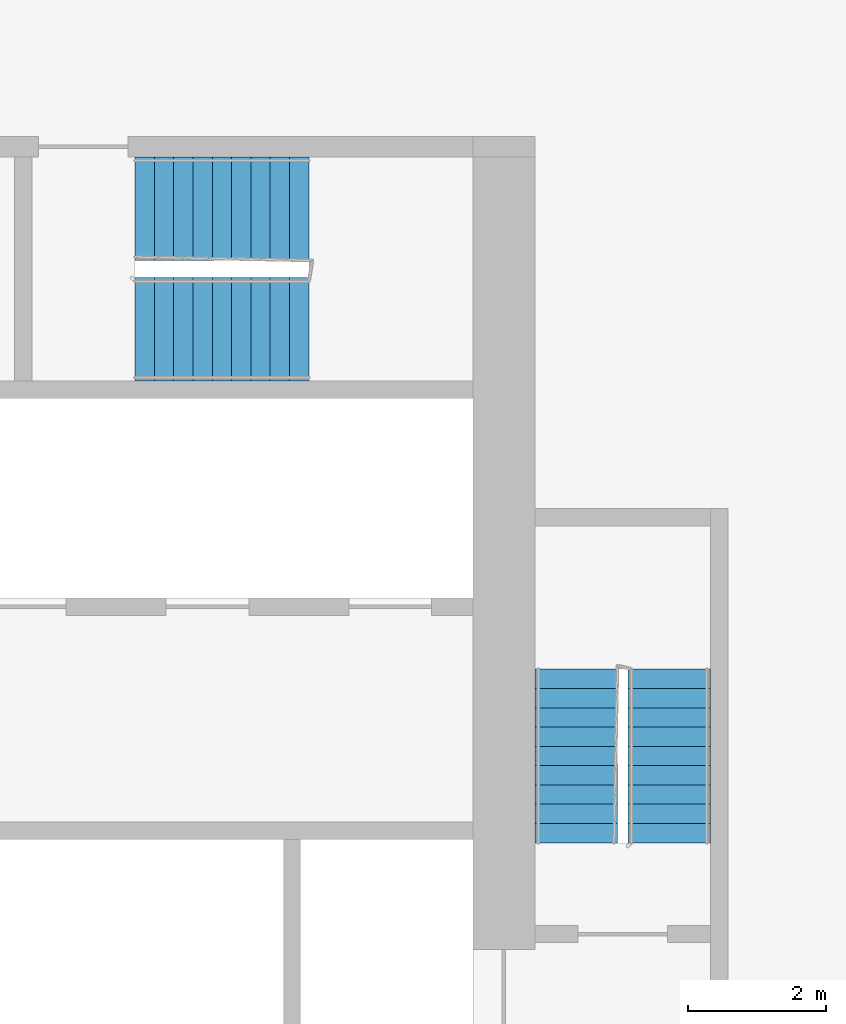
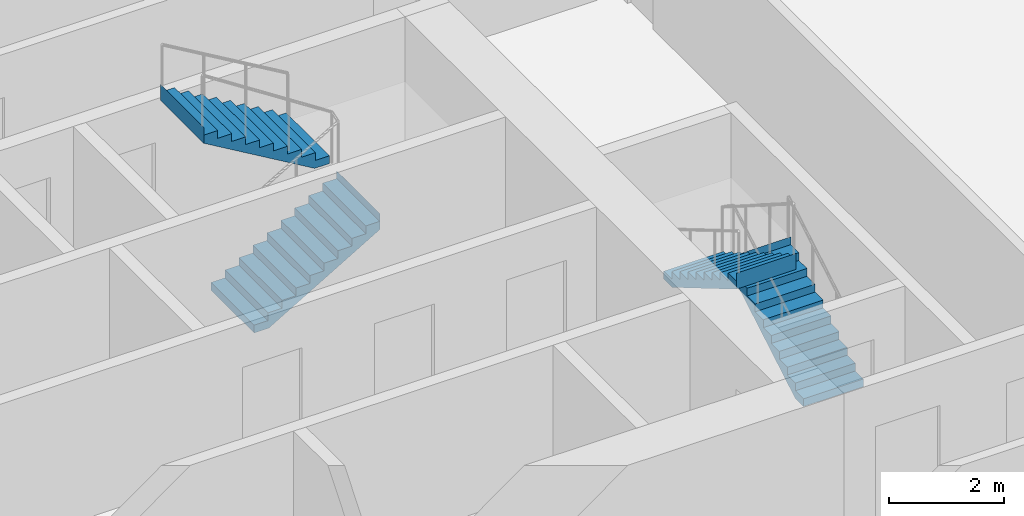
# One storey, part 11 of 12: 4 stair flights, 2 elements without a shape of their own.
"""IFC4 building model written with IfcOpenShell, lengths in metres."""

from ifc_helpers import new_model, si_unit, direction, frame, origin, place, context, subcontext, project, spatial, faceted_brep, material, type_object, element, aggregate, save


model = new_model("IFC4")

# Units and contexts
model_context = context("Model", 3, precision=1e-05, world=origin(), true_north=direction((0.0, 1.0)))
body_context = subcontext(model_context, "Body", "Model", "MODEL_VIEW")
ifc_project = project(units=[si_unit("LENGTHUNIT", "METRE"), si_unit("AREAUNIT", "SQUARE_METRE"), si_unit("VOLUMEUNIT", "CUBIC_METRE"), si_unit("PLANEANGLEUNIT", "RADIAN"), si_unit("MASSUNIT", "GRAM", prefix="KILO")], contexts=[model_context])

# Site, building, storey
site_placement = place(None, origin())
site = spatial("IfcSite", under=ifc_project, at=site_placement, CompositionType="ELEMENT")
building_placement = place(site_placement, origin())
building = spatial("IfcBuilding", under=site, at=building_placement, Name="Kajstack Hotel Tower", CompositionType="ELEMENT")
storey_placement = place(building_placement, frame((0.0, 0.0, 86.39990234375)))
storey = spatial("IfcBuildingStorey", under=building, at=storey_placement, Name="L17", CompositionType="ELEMENT", Elevation=86.39990234375)

# Stair, stair flights
ifc_material = material(Name="Concrete C40/50", Category="concrete")
stair_type_1 = type_object("IfcStairType", Name="Exit stair 1200", PredefinedType="HALF_TURN_STAIR", material=ifc_material)
stair_1_placement = place(storey_placement, origin())
stair_1 = element("IfcStair", 1, at=stair_1_placement, inside=storey, type_object=stair_type_1, Name="L17 stair E1", PredefinedType="HALF_TURN_STAIR")
stair_flight_type_1 = type_object("IfcStairFlightType", Name="Exit stair flight 1200", PredefinedType="STRAIGHT", material=ifc_material)
stair_flight_1_placement = place(storey_placement, frame((33.449951171875, 5.25, 0.0), z_axis=(0.0, 0.0, 1.0), x_axis=(0.0, 1.0, 0.0)))
stair_flight_1 = element("IfcStairFlight", 2, at=stair_flight_1_placement, type_object=stair_flight_type_1, Name="E1 flight 1", NumberOfRisers=10, NumberOfTreads=9, PredefinedType="STRAIGHT", RiserHeight=0.165, TreadLength=0.28, context=body_context, shape_type="Brep", body=[
    faceted_brep([(0.295654296875, -0.60009765625, 0.0), (2.5205078125, -0.60009765625, 1.31103515625), (2.5205078125, -0.60009765625, 1.64990234375), (2.52001953125, -0.60009765625, 1.64990234375), (2.52001953125, -0.60009765625, 1.485107421875), (2.239990234375, -0.60009765625, 1.485107421875), (2.239990234375, -0.60009765625, 1.320068359375), (1.9599609375, -0.60009765625, 1.320068359375), (1.9599609375, -0.60009765625, 1.155029296875), (1.679931640625, -0.60009765625, 1.155029296875), (1.679931640625, -0.60009765625, 0.989990234375), (1.39990234375, -0.60009765625, 0.989990234375), (1.39990234375, -0.60009765625, 0.824951171875), (1.1201171875, -0.60009765625, 0.824951171875), (1.1201171875, -0.60009765625, 0.659912109375), (0.840087890625, -0.60009765625, 0.659912109375), (0.840087890625, -0.60009765625, 0.4951171875), (0.56005859375, -0.60009765625, 0.4951171875), (0.56005859375, -0.60009765625, 0.330078125), (0.280029296875, -0.60009765625, 0.330078125), (0.280029296875, -0.60009765625, 0.1650390625), (-0.00048828125, -0.60009765625, 0.1650390625), (-0.00048828125, -0.60009765625, 0.0), (-0.00048828125, 0.60009765625, 0.0), (-0.00048828125, 0.60009765625, 0.1650390625), (0.280029296875, 0.60009765625, 0.1650390625), (0.280029296875, 0.60009765625, 0.330078125), (0.56005859375, 0.60009765625, 0.330078125), (0.56005859375, 0.60009765625, 0.4951171875), (0.840087890625, 0.60009765625, 0.4951171875), (0.840087890625, 0.60009765625, 0.659912109375), (1.1201171875, 0.60009765625, 0.659912109375), (1.1201171875, 0.60009765625, 0.824951171875), (1.39990234375, 0.60009765625, 0.824951171875), (1.39990234375, 0.60009765625, 0.989990234375), (1.679931640625, 0.60009765625, 0.989990234375), (1.679931640625, 0.60009765625, 1.155029296875), (1.9599609375, 0.60009765625, 1.155029296875), (1.9599609375, 0.60009765625, 1.320068359375), (2.239990234375, 0.60009765625, 1.320068359375), (2.239990234375, 0.60009765625, 1.485107421875), (2.52001953125, 0.60009765625, 1.485107421875), (2.52001953125, 0.60009765625, 1.64990234375), (2.5205078125, 0.60009765625, 1.64990234375), (2.5205078125, 0.60009765625, 1.31103515625), (0.295654296875, 0.60009765625, 0.0), (-0.00048828125, -0.300048828125, 0.1650390625), (-0.00048828125, 0.0, 0.1650390625), (-0.00048828125, 0.300048828125, 0.1650390625), (-0.00048828125, 0.300048828125, 0.0), (-0.00048828125, 0.0, 0.0), (-0.00048828125, -0.300048828125, 0.0), (0.280029296875, -0.300048828125, 0.1650390625), (0.280029296875, 0.0, 0.1650390625), (0.280029296875, 0.300048828125, 0.1650390625), (0.280029296875, -0.300048828125, 0.330078125), (0.280029296875, 0.0, 0.330078125), (0.280029296875, 0.300048828125, 0.330078125), (0.56005859375, -0.300048828125, 0.330078125), (0.56005859375, 0.0, 0.330078125), (0.56005859375, 0.300048828125, 0.330078125), (0.56005859375, -0.300048828125, 0.4951171875), (0.56005859375, 0.0, 0.4951171875), (0.56005859375, 0.300048828125, 0.4951171875), (0.840087890625, -0.300048828125, 0.4951171875), (0.840087890625, 0.0, 0.4951171875), (0.840087890625, 0.300048828125, 0.4951171875), (0.840087890625, -0.300048828125, 0.659912109375), (0.840087890625, 0.0, 0.659912109375), (0.840087890625, 0.300048828125, 0.659912109375), (1.1201171875, -0.300048828125, 0.659912109375), (1.1201171875, 0.0, 0.659912109375), (1.1201171875, 0.300048828125, 0.659912109375), (1.1201171875, -0.300048828125, 0.824951171875), (1.1201171875, 0.0, 0.824951171875), (1.1201171875, 0.300048828125, 0.824951171875), (1.39990234375, -0.300048828125, 0.824951171875), (1.39990234375, 0.0, 0.824951171875), (1.39990234375, 0.300048828125, 0.824951171875), (1.39990234375, -0.300048828125, 0.989990234375), (1.39990234375, 0.0, 0.989990234375), (1.39990234375, 0.300048828125, 0.989990234375), (1.679931640625, -0.300048828125, 0.989990234375), (1.679931640625, 0.0, 0.989990234375), (1.679931640625, 0.300048828125, 0.989990234375), (1.679931640625, -0.300048828125, 1.155029296875), (1.679931640625, 0.0, 1.155029296875), (1.679931640625, 0.300048828125, 1.155029296875), (1.9599609375, -0.300048828125, 1.155029296875), (1.9599609375, 0.0, 1.155029296875), (1.9599609375, 0.300048828125, 1.155029296875), (1.9599609375, -0.300048828125, 1.320068359375), (1.9599609375, 0.0, 1.320068359375), (1.9599609375, 0.300048828125, 1.320068359375), (2.239990234375, -0.300048828125, 1.320068359375), (2.239990234375, 0.0, 1.320068359375), (2.239990234375, 0.300048828125, 1.320068359375), (2.239990234375, -0.300048828125, 1.485107421875), (2.239990234375, 0.0, 1.485107421875), (2.239990234375, 0.300048828125, 1.485107421875), (2.52001953125, -0.300048828125, 1.485107421875), (2.52001953125, 0.0, 1.485107421875), (2.52001953125, 0.300048828125, 1.485107421875), (2.52001953125, -0.300048828125, 1.64990234375), (2.52001953125, 0.0, 1.64990234375), (2.52001953125, 0.300048828125, 1.64990234375), (2.5205078125, -0.300048828125, 1.64990234375), (2.5205078125, 0.0, 1.64990234375), (2.5205078125, 0.300048828125, 1.64990234375), (2.5205078125, -0.300048828125, 1.31103515625), (2.5205078125, 0.0, 1.31103515625), (2.5205078125, 0.300048828125, 1.31103515625), (0.295654296875, -0.300048828125, 0.0), (0.295654296875, 0.0, 0.0), (0.295654296875, 0.300048828125, 0.0)], [[[0, 1, 2, 3, 4, 5, 6, 7, 8, 9, 10, 11, 12, 13, 14, 15, 16, 17, 18, 19, 20, 21, 22]], [[23, 24, 25, 26, 27, 28, 29, 30, 31, 32, 33, 34, 35, 36, 37, 38, 39, 40, 41, 42, 43, 44, 45]], [[21, 46, 47, 48, 24, 23, 49, 50, 51, 22]], [[20, 52, 53, 54, 25, 24, 48, 47, 46, 21]], [[19, 55, 56, 57, 26, 25, 54, 53, 52, 20]], [[18, 58, 59, 60, 27, 26, 57, 56, 55, 19]], [[17, 61, 62, 63, 28, 27, 60, 59, 58, 18]], [[16, 64, 65, 66, 29, 28, 63, 62, 61, 17]], [[15, 67, 68, 69, 30, 29, 66, 65, 64, 16]], [[14, 70, 71, 72, 31, 30, 69, 68, 67, 15]], [[13, 73, 74, 75, 32, 31, 72, 71, 70, 14]], [[12, 76, 77, 78, 33, 32, 75, 74, 73, 13]], [[11, 79, 80, 81, 34, 33, 78, 77, 76, 12]], [[10, 82, 83, 84, 35, 34, 81, 80, 79, 11]], [[9, 85, 86, 87, 36, 35, 84, 83, 82, 10]], [[8, 88, 89, 90, 37, 36, 87, 86, 85, 9]], [[7, 91, 92, 93, 38, 37, 90, 89, 88, 8]], [[6, 94, 95, 96, 39, 38, 93, 92, 91, 7]], [[5, 97, 98, 99, 40, 39, 96, 95, 94, 6]], [[4, 100, 101, 102, 41, 40, 99, 98, 97, 5]], [[3, 103, 104, 105, 42, 41, 102, 101, 100, 4]], [[2, 106, 107, 108, 43, 42, 105, 104, 103, 3]], [[1, 109, 110, 111, 44, 43, 108, 107, 106, 2]], [[0, 112, 113, 114, 45, 44, 111, 110, 109, 1]], [[22, 51, 50, 49, 23, 45, 114, 113, 112, 0]]]),
])
stair_flight_2_placement = place(storey_placement, frame((32.10009765625, 7.77001953125, 1.650146484375), z_axis=(0.0, 0.0, 1.0), x_axis=(0.0, -1.0, 0.0)))
stair_flight_2 = element("IfcStairFlight", 3, at=stair_flight_2_placement, type_object=stair_flight_type_1, Name="E1 flight 2", NumberOfRisers=10, NumberOfTreads=9, PredefinedType="STRAIGHT", RiserHeight=0.165, TreadLength=0.28, context=body_context, shape_type="Brep", body=[
    faceted_brep([(0.295654296875, -0.60009765625, 0.0), (2.5205078125, -0.60009765625, 1.31103515625), (2.5205078125, -0.60009765625, 1.64990234375), (2.52001953125, -0.60009765625, 1.64990234375), (2.52001953125, -0.60009765625, 1.485107421875), (2.239990234375, -0.60009765625, 1.485107421875), (2.239990234375, -0.60009765625, 1.320068359375), (1.9599609375, -0.60009765625, 1.320068359375), (1.9599609375, -0.60009765625, 1.155029296875), (1.679931640625, -0.60009765625, 1.155029296875), (1.679931640625, -0.60009765625, 0.989990234375), (1.39990234375, -0.60009765625, 0.989990234375), (1.39990234375, -0.60009765625, 0.824951171875), (1.1201171875, -0.60009765625, 0.824951171875), (1.1201171875, -0.60009765625, 0.659912109375), (0.840087890625, -0.60009765625, 0.659912109375), (0.840087890625, -0.60009765625, 0.4951171875), (0.56005859375, -0.60009765625, 0.4951171875), (0.56005859375, -0.60009765625, 0.330078125), (0.280029296875, -0.60009765625, 0.330078125), (0.280029296875, -0.60009765625, 0.1650390625), (-0.00048828125, -0.60009765625, 0.1650390625), (-0.00048828125, -0.60009765625, 0.0), (-0.00048828125, 0.60009765625, 0.0), (-0.00048828125, 0.60009765625, 0.1650390625), (0.280029296875, 0.60009765625, 0.1650390625), (0.280029296875, 0.60009765625, 0.330078125), (0.56005859375, 0.60009765625, 0.330078125), (0.56005859375, 0.60009765625, 0.4951171875), (0.840087890625, 0.60009765625, 0.4951171875), (0.840087890625, 0.60009765625, 0.659912109375), (1.1201171875, 0.60009765625, 0.659912109375), (1.1201171875, 0.60009765625, 0.824951171875), (1.39990234375, 0.60009765625, 0.824951171875), (1.39990234375, 0.60009765625, 0.989990234375), (1.679931640625, 0.60009765625, 0.989990234375), (1.679931640625, 0.60009765625, 1.155029296875), (1.9599609375, 0.60009765625, 1.155029296875), (1.9599609375, 0.60009765625, 1.320068359375), (2.239990234375, 0.60009765625, 1.320068359375), (2.239990234375, 0.60009765625, 1.485107421875), (2.52001953125, 0.60009765625, 1.485107421875), (2.52001953125, 0.60009765625, 1.64990234375), (2.5205078125, 0.60009765625, 1.64990234375), (2.5205078125, 0.60009765625, 1.31103515625), (0.295654296875, 0.60009765625, 0.0), (-0.00048828125, -0.300048828125, 0.1650390625), (-0.00048828125, 0.0, 0.1650390625), (-0.00048828125, 0.300048828125, 0.1650390625), (-0.00048828125, 0.300048828125, 0.0), (-0.00048828125, 0.0, 0.0), (-0.00048828125, -0.300048828125, 0.0), (0.280029296875, -0.300048828125, 0.1650390625), (0.280029296875, 0.0, 0.1650390625), (0.280029296875, 0.300048828125, 0.1650390625), (0.280029296875, -0.300048828125, 0.330078125), (0.280029296875, 0.0, 0.330078125), (0.280029296875, 0.300048828125, 0.330078125), (0.56005859375, -0.300048828125, 0.330078125), (0.56005859375, 0.0, 0.330078125), (0.56005859375, 0.300048828125, 0.330078125), (0.56005859375, -0.300048828125, 0.4951171875), (0.56005859375, 0.0, 0.4951171875), (0.56005859375, 0.300048828125, 0.4951171875), (0.840087890625, -0.300048828125, 0.4951171875), (0.840087890625, 0.0, 0.4951171875), (0.840087890625, 0.300048828125, 0.4951171875), (0.840087890625, -0.300048828125, 0.659912109375), (0.840087890625, 0.0, 0.659912109375), (0.840087890625, 0.300048828125, 0.659912109375), (1.1201171875, -0.300048828125, 0.659912109375), (1.1201171875, 0.0, 0.659912109375), (1.1201171875, 0.300048828125, 0.659912109375), (1.1201171875, -0.300048828125, 0.824951171875), (1.1201171875, 0.0, 0.824951171875), (1.1201171875, 0.300048828125, 0.824951171875), (1.39990234375, -0.300048828125, 0.824951171875), (1.39990234375, 0.0, 0.824951171875), (1.39990234375, 0.300048828125, 0.824951171875), (1.39990234375, -0.300048828125, 0.989990234375), (1.39990234375, 0.0, 0.989990234375), (1.39990234375, 0.300048828125, 0.989990234375), (1.679931640625, -0.300048828125, 0.989990234375), (1.679931640625, 0.0, 0.989990234375), (1.679931640625, 0.300048828125, 0.989990234375), (1.679931640625, -0.300048828125, 1.155029296875), (1.679931640625, 0.0, 1.155029296875), (1.679931640625, 0.300048828125, 1.155029296875), (1.9599609375, -0.300048828125, 1.155029296875), (1.9599609375, 0.0, 1.155029296875), (1.9599609375, 0.300048828125, 1.155029296875), (1.9599609375, -0.300048828125, 1.320068359375), (1.9599609375, 0.0, 1.320068359375), (1.9599609375, 0.300048828125, 1.320068359375), (2.239990234375, -0.300048828125, 1.320068359375), (2.239990234375, 0.0, 1.320068359375), (2.239990234375, 0.300048828125, 1.320068359375), (2.239990234375, -0.300048828125, 1.485107421875), (2.239990234375, 0.0, 1.485107421875), (2.239990234375, 0.300048828125, 1.485107421875), (2.52001953125, -0.300048828125, 1.485107421875), (2.52001953125, 0.0, 1.485107421875), (2.52001953125, 0.300048828125, 1.485107421875), (2.52001953125, -0.300048828125, 1.64990234375), (2.52001953125, 0.0, 1.64990234375), (2.52001953125, 0.300048828125, 1.64990234375), (2.5205078125, -0.300048828125, 1.64990234375), (2.5205078125, 0.0, 1.64990234375), (2.5205078125, 0.300048828125, 1.64990234375), (2.5205078125, -0.300048828125, 1.31103515625), (2.5205078125, 0.0, 1.31103515625), (2.5205078125, 0.300048828125, 1.31103515625), (0.295654296875, -0.300048828125, 0.0), (0.295654296875, 0.0, 0.0), (0.295654296875, 0.300048828125, 0.0)], [[[0, 1, 2, 3, 4, 5, 6, 7, 8, 9, 10, 11, 12, 13, 14, 15, 16, 17, 18, 19, 20, 21, 22]], [[23, 24, 25, 26, 27, 28, 29, 30, 31, 32, 33, 34, 35, 36, 37, 38, 39, 40, 41, 42, 43, 44, 45]], [[21, 46, 47, 48, 24, 23, 49, 50, 51, 22]], [[20, 52, 53, 54, 25, 24, 48, 47, 46, 21]], [[19, 55, 56, 57, 26, 25, 54, 53, 52, 20]], [[18, 58, 59, 60, 27, 26, 57, 56, 55, 19]], [[17, 61, 62, 63, 28, 27, 60, 59, 58, 18]], [[16, 64, 65, 66, 29, 28, 63, 62, 61, 17]], [[15, 67, 68, 69, 30, 29, 66, 65, 64, 16]], [[14, 70, 71, 72, 31, 30, 69, 68, 67, 15]], [[13, 73, 74, 75, 32, 31, 72, 71, 70, 14]], [[12, 76, 77, 78, 33, 32, 75, 74, 73, 13]], [[11, 79, 80, 81, 34, 33, 78, 77, 76, 12]], [[10, 82, 83, 84, 35, 34, 81, 80, 79, 11]], [[9, 85, 86, 87, 36, 35, 84, 83, 82, 10]], [[8, 88, 89, 90, 37, 36, 87, 86, 85, 9]], [[7, 91, 92, 93, 38, 37, 90, 89, 88, 8]], [[6, 94, 95, 96, 39, 38, 93, 92, 91, 7]], [[5, 97, 98, 99, 40, 39, 96, 95, 94, 6]], [[4, 100, 101, 102, 41, 40, 99, 98, 97, 5]], [[3, 103, 104, 105, 42, 41, 102, 101, 100, 4]], [[2, 106, 107, 108, 43, 42, 105, 104, 103, 3]], [[1, 109, 110, 111, 44, 43, 108, 107, 106, 2]], [[0, 112, 113, 114, 45, 44, 111, 110, 109, 1]], [[22, 51, 50, 49, 23, 45, 114, 113, 112, 0]]]),
])
aggregate(stair_1, [stair_flight_1, stair_flight_2])

stair_type_2 = type_object("IfcStairType", Name="Exit stair 1500", PredefinedType="HALF_TURN_STAIR", material=ifc_material)
stair_2_placement = place(storey_placement, origin())
stair_2 = element("IfcStair", 4, at=stair_2_placement, inside=storey, type_object=stair_type_2, Name="L17 stair E3", PredefinedType="HALF_TURN_STAIR")
stair_flight_type_2 = type_object("IfcStairFlightType", Name="Exit stair flight 1500", PredefinedType="STRAIGHT", material=ifc_material)
stair_flight_3_placement = place(storey_placement, frame((25.699951171875, 12.699951171875, 0.0), z_axis=(0.0, 0.0, 1.0), x_axis=(1.0, 0.0, 0.0)))
stair_flight_3 = element("IfcStairFlight", 5, at=stair_flight_3_placement, type_object=stair_flight_type_2, Name="E3 flight 1", NumberOfRisers=10, NumberOfTreads=9, PredefinedType="STRAIGHT", RiserHeight=0.165, TreadLength=0.28, context=body_context, shape_type="Brep", body=[
    faceted_brep([(0.295654296875, -0.75, 0.0), (2.5205078125, -0.75, 1.31103515625), (2.5205078125, -0.75, 1.64990234375), (2.52001953125, -0.75, 1.64990234375), (2.52001953125, -0.75, 1.485107421875), (2.239990234375, -0.75, 1.485107421875), (2.239990234375, -0.75, 1.320068359375), (1.9599609375, -0.75, 1.320068359375), (1.9599609375, -0.75, 1.155029296875), (1.679931640625, -0.75, 1.155029296875), (1.679931640625, -0.75, 0.989990234375), (1.39990234375, -0.75, 0.989990234375), (1.39990234375, -0.75, 0.824951171875), (1.1201171875, -0.75, 0.824951171875), (1.1201171875, -0.75, 0.659912109375), (0.840087890625, -0.75, 0.659912109375), (0.840087890625, -0.75, 0.4951171875), (0.56005859375, -0.75, 0.4951171875), (0.56005859375, -0.75, 0.330078125), (0.280029296875, -0.75, 0.330078125), (0.280029296875, -0.75, 0.1650390625), (-0.00048828125, -0.75, 0.1650390625), (-0.00048828125, -0.75, 0.0), (-0.00048828125, 0.75, 0.0), (-0.00048828125, 0.75, 0.1650390625), (0.280029296875, 0.75, 0.1650390625), (0.280029296875, 0.75, 0.330078125), (0.56005859375, 0.75, 0.330078125), (0.56005859375, 0.75, 0.4951171875), (0.840087890625, 0.75, 0.4951171875), (0.840087890625, 0.75, 0.659912109375), (1.1201171875, 0.75, 0.659912109375), (1.1201171875, 0.75, 0.824951171875), (1.39990234375, 0.75, 0.824951171875), (1.39990234375, 0.75, 0.989990234375), (1.679931640625, 0.75, 0.989990234375), (1.679931640625, 0.75, 1.155029296875), (1.9599609375, 0.75, 1.155029296875), (1.9599609375, 0.75, 1.320068359375), (2.239990234375, 0.75, 1.320068359375), (2.239990234375, 0.75, 1.485107421875), (2.52001953125, 0.75, 1.485107421875), (2.52001953125, 0.75, 1.64990234375), (2.5205078125, 0.75, 1.64990234375), (2.5205078125, 0.75, 1.31103515625), (0.295654296875, 0.75, 0.0), (-0.00048828125, -0.375, 0.1650390625), (-0.00048828125, 0.0, 0.1650390625), (-0.00048828125, 0.375, 0.1650390625), (-0.00048828125, 0.375, 0.0), (-0.00048828125, 0.0, 0.0), (-0.00048828125, -0.375, 0.0), (0.280029296875, -0.375, 0.1650390625), (0.280029296875, 0.0, 0.1650390625), (0.280029296875, 0.375, 0.1650390625), (0.280029296875, -0.375, 0.330078125), (0.280029296875, 0.0, 0.330078125), (0.280029296875, 0.375, 0.330078125), (0.56005859375, -0.375, 0.330078125), (0.56005859375, 0.0, 0.330078125), (0.56005859375, 0.375, 0.330078125), (0.56005859375, -0.375, 0.4951171875), (0.56005859375, 0.0, 0.4951171875), (0.56005859375, 0.375, 0.4951171875), (0.840087890625, -0.375, 0.4951171875), (0.840087890625, 0.0, 0.4951171875), (0.840087890625, 0.375, 0.4951171875), (0.840087890625, -0.375, 0.659912109375), (0.840087890625, 0.0, 0.659912109375), (0.840087890625, 0.375, 0.659912109375), (1.1201171875, -0.375, 0.659912109375), (1.1201171875, 0.0, 0.659912109375), (1.1201171875, 0.375, 0.659912109375), (1.1201171875, -0.375, 0.824951171875), (1.1201171875, 0.0, 0.824951171875), (1.1201171875, 0.375, 0.824951171875), (1.39990234375, -0.375, 0.824951171875), (1.39990234375, 0.0, 0.824951171875), (1.39990234375, 0.375, 0.824951171875), (1.39990234375, -0.375, 0.989990234375), (1.39990234375, 0.0, 0.989990234375), (1.39990234375, 0.375, 0.989990234375), (1.679931640625, -0.375, 0.989990234375), (1.679931640625, 0.0, 0.989990234375), (1.679931640625, 0.375, 0.989990234375), (1.679931640625, -0.375, 1.155029296875), (1.679931640625, 0.0, 1.155029296875), (1.679931640625, 0.375, 1.155029296875), (1.9599609375, -0.375, 1.155029296875), (1.9599609375, 0.0, 1.155029296875), (1.9599609375, 0.375, 1.155029296875), (1.9599609375, -0.375, 1.320068359375), (1.9599609375, 0.0, 1.320068359375), (1.9599609375, 0.375, 1.320068359375), (2.239990234375, -0.375, 1.320068359375), (2.239990234375, 0.0, 1.320068359375), (2.239990234375, 0.375, 1.320068359375), (2.239990234375, -0.375, 1.485107421875), (2.239990234375, 0.0, 1.485107421875), (2.239990234375, 0.375, 1.485107421875), (2.52001953125, -0.375, 1.485107421875), (2.52001953125, 0.0, 1.485107421875), (2.52001953125, 0.375, 1.485107421875), (2.52001953125, -0.375, 1.64990234375), (2.52001953125, 0.0, 1.64990234375), (2.52001953125, 0.375, 1.64990234375), (2.5205078125, -0.375, 1.64990234375), (2.5205078125, 0.0, 1.64990234375), (2.5205078125, 0.375, 1.64990234375), (2.5205078125, -0.375, 1.31103515625), (2.5205078125, 0.0, 1.31103515625), (2.5205078125, 0.375, 1.31103515625), (0.295654296875, -0.375, 0.0), (0.295654296875, 0.0, 0.0), (0.295654296875, 0.375, 0.0)], [[[0, 1, 2, 3, 4, 5, 6, 7, 8, 9, 10, 11, 12, 13, 14, 15, 16, 17, 18, 19, 20, 21, 22]], [[23, 24, 25, 26, 27, 28, 29, 30, 31, 32, 33, 34, 35, 36, 37, 38, 39, 40, 41, 42, 43, 44, 45]], [[21, 46, 47, 48, 24, 23, 49, 50, 51, 22]], [[20, 52, 53, 54, 25, 24, 48, 47, 46, 21]], [[19, 55, 56, 57, 26, 25, 54, 53, 52, 20]], [[18, 58, 59, 60, 27, 26, 57, 56, 55, 19]], [[17, 61, 62, 63, 28, 27, 60, 59, 58, 18]], [[16, 64, 65, 66, 29, 28, 63, 62, 61, 17]], [[15, 67, 68, 69, 30, 29, 66, 65, 64, 16]], [[14, 70, 71, 72, 31, 30, 69, 68, 67, 15]], [[13, 73, 74, 75, 32, 31, 72, 71, 70, 14]], [[12, 76, 77, 78, 33, 32, 75, 74, 73, 13]], [[11, 79, 80, 81, 34, 33, 78, 77, 76, 12]], [[10, 82, 83, 84, 35, 34, 81, 80, 79, 11]], [[9, 85, 86, 87, 36, 35, 84, 83, 82, 10]], [[8, 88, 89, 90, 37, 36, 87, 86, 85, 9]], [[7, 91, 92, 93, 38, 37, 90, 89, 88, 8]], [[6, 94, 95, 96, 39, 38, 93, 92, 91, 7]], [[5, 97, 98, 99, 40, 39, 96, 95, 94, 6]], [[4, 100, 101, 102, 41, 40, 99, 98, 97, 5]], [[3, 103, 104, 105, 42, 41, 102, 101, 100, 4]], [[2, 106, 107, 108, 43, 42, 105, 104, 103, 3]], [[1, 109, 110, 111, 44, 43, 108, 107, 106, 2]], [[0, 112, 113, 114, 45, 44, 111, 110, 109, 1]], [[22, 51, 50, 49, 23, 45, 114, 113, 112, 0]]]),
])
stair_flight_4_placement = place(storey_placement, frame((28.219970703125, 14.449951171875, 1.650146484375), z_axis=(0.0, 0.0, 1.0), x_axis=(-1.0, 0.0, 0.0)))
stair_flight_4 = element("IfcStairFlight", 6, at=stair_flight_4_placement, type_object=stair_flight_type_2, Name="E3 flight 2", NumberOfRisers=10, NumberOfTreads=9, PredefinedType="STRAIGHT", RiserHeight=0.165, TreadLength=0.28, context=body_context, shape_type="Brep", body=[
    faceted_brep([(0.295654296875, -0.75, 0.0), (2.5205078125, -0.75, 1.31103515625), (2.5205078125, -0.75, 1.64990234375), (2.52001953125, -0.75, 1.64990234375), (2.52001953125, -0.75, 1.485107421875), (2.239990234375, -0.75, 1.485107421875), (2.239990234375, -0.75, 1.320068359375), (1.9599609375, -0.75, 1.320068359375), (1.9599609375, -0.75, 1.155029296875), (1.679931640625, -0.75, 1.155029296875), (1.679931640625, -0.75, 0.989990234375), (1.39990234375, -0.75, 0.989990234375), (1.39990234375, -0.75, 0.824951171875), (1.1201171875, -0.75, 0.824951171875), (1.1201171875, -0.75, 0.659912109375), (0.840087890625, -0.75, 0.659912109375), (0.840087890625, -0.75, 0.4951171875), (0.56005859375, -0.75, 0.4951171875), (0.56005859375, -0.75, 0.330078125), (0.280029296875, -0.75, 0.330078125), (0.280029296875, -0.75, 0.1650390625), (-0.00048828125, -0.75, 0.1650390625), (-0.00048828125, -0.75, 0.0), (-0.00048828125, 0.75, 0.0), (-0.00048828125, 0.75, 0.1650390625), (0.280029296875, 0.75, 0.1650390625), (0.280029296875, 0.75, 0.330078125), (0.56005859375, 0.75, 0.330078125), (0.56005859375, 0.75, 0.4951171875), (0.840087890625, 0.75, 0.4951171875), (0.840087890625, 0.75, 0.659912109375), (1.1201171875, 0.75, 0.659912109375), (1.1201171875, 0.75, 0.824951171875), (1.39990234375, 0.75, 0.824951171875), (1.39990234375, 0.75, 0.989990234375), (1.679931640625, 0.75, 0.989990234375), (1.679931640625, 0.75, 1.155029296875), (1.9599609375, 0.75, 1.155029296875), (1.9599609375, 0.75, 1.320068359375), (2.239990234375, 0.75, 1.320068359375), (2.239990234375, 0.75, 1.485107421875), (2.52001953125, 0.75, 1.485107421875), (2.52001953125, 0.75, 1.64990234375), (2.5205078125, 0.75, 1.64990234375), (2.5205078125, 0.75, 1.31103515625), (0.295654296875, 0.75, 0.0), (-0.00048828125, -0.375, 0.1650390625), (-0.00048828125, 0.0, 0.1650390625), (-0.00048828125, 0.375, 0.1650390625), (-0.00048828125, 0.375, 0.0), (-0.00048828125, 0.0, 0.0), (-0.00048828125, -0.375, 0.0), (0.280029296875, -0.375, 0.1650390625), (0.280029296875, 0.0, 0.1650390625), (0.280029296875, 0.375, 0.1650390625), (0.280029296875, -0.375, 0.330078125), (0.280029296875, 0.0, 0.330078125), (0.280029296875, 0.375, 0.330078125), (0.56005859375, -0.375, 0.330078125), (0.56005859375, 0.0, 0.330078125), (0.56005859375, 0.375, 0.330078125), (0.56005859375, -0.375, 0.4951171875), (0.56005859375, 0.0, 0.4951171875), (0.56005859375, 0.375, 0.4951171875), (0.840087890625, -0.375, 0.4951171875), (0.840087890625, 0.0, 0.4951171875), (0.840087890625, 0.375, 0.4951171875), (0.840087890625, -0.375, 0.659912109375), (0.840087890625, 0.0, 0.659912109375), (0.840087890625, 0.375, 0.659912109375), (1.1201171875, -0.375, 0.659912109375), (1.1201171875, 0.0, 0.659912109375), (1.1201171875, 0.375, 0.659912109375), (1.1201171875, -0.375, 0.824951171875), (1.1201171875, 0.0, 0.824951171875), (1.1201171875, 0.375, 0.824951171875), (1.39990234375, -0.375, 0.824951171875), (1.39990234375, 0.0, 0.824951171875), (1.39990234375, 0.375, 0.824951171875), (1.39990234375, -0.375, 0.989990234375), (1.39990234375, 0.0, 0.989990234375), (1.39990234375, 0.375, 0.989990234375), (1.679931640625, -0.375, 0.989990234375), (1.679931640625, 0.0, 0.989990234375), (1.679931640625, 0.375, 0.989990234375), (1.679931640625, -0.375, 1.155029296875), (1.679931640625, 0.0, 1.155029296875), (1.679931640625, 0.375, 1.155029296875), (1.9599609375, -0.375, 1.155029296875), (1.9599609375, 0.0, 1.155029296875), (1.9599609375, 0.375, 1.155029296875), (1.9599609375, -0.375, 1.320068359375), (1.9599609375, 0.0, 1.320068359375), (1.9599609375, 0.375, 1.320068359375), (2.239990234375, -0.375, 1.320068359375), (2.239990234375, 0.0, 1.320068359375), (2.239990234375, 0.375, 1.320068359375), (2.239990234375, -0.375, 1.485107421875), (2.239990234375, 0.0, 1.485107421875), (2.239990234375, 0.375, 1.485107421875), (2.52001953125, -0.375, 1.485107421875), (2.52001953125, 0.0, 1.485107421875), (2.52001953125, 0.375, 1.485107421875), (2.52001953125, -0.375, 1.64990234375), (2.52001953125, 0.0, 1.64990234375), (2.52001953125, 0.375, 1.64990234375), (2.5205078125, -0.375, 1.64990234375), (2.5205078125, 0.0, 1.64990234375), (2.5205078125, 0.375, 1.64990234375), (2.5205078125, -0.375, 1.31103515625), (2.5205078125, 0.0, 1.31103515625), (2.5205078125, 0.375, 1.31103515625), (0.295654296875, -0.375, 0.0), (0.295654296875, 0.0, 0.0), (0.295654296875, 0.375, 0.0)], [[[0, 1, 2, 3, 4, 5, 6, 7, 8, 9, 10, 11, 12, 13, 14, 15, 16, 17, 18, 19, 20, 21, 22]], [[23, 24, 25, 26, 27, 28, 29, 30, 31, 32, 33, 34, 35, 36, 37, 38, 39, 40, 41, 42, 43, 44, 45]], [[21, 46, 47, 48, 24, 23, 49, 50, 51, 22]], [[20, 52, 53, 54, 25, 24, 48, 47, 46, 21]], [[19, 55, 56, 57, 26, 25, 54, 53, 52, 20]], [[18, 58, 59, 60, 27, 26, 57, 56, 55, 19]], [[17, 61, 62, 63, 28, 27, 60, 59, 58, 18]], [[16, 64, 65, 66, 29, 28, 63, 62, 61, 17]], [[15, 67, 68, 69, 30, 29, 66, 65, 64, 16]], [[14, 70, 71, 72, 31, 30, 69, 68, 67, 15]], [[13, 73, 74, 75, 32, 31, 72, 71, 70, 14]], [[12, 76, 77, 78, 33, 32, 75, 74, 73, 13]], [[11, 79, 80, 81, 34, 33, 78, 77, 76, 12]], [[10, 82, 83, 84, 35, 34, 81, 80, 79, 11]], [[9, 85, 86, 87, 36, 35, 84, 83, 82, 10]], [[8, 88, 89, 90, 37, 36, 87, 86, 85, 9]], [[7, 91, 92, 93, 38, 37, 90, 89, 88, 8]], [[6, 94, 95, 96, 39, 38, 93, 92, 91, 7]], [[5, 97, 98, 99, 40, 39, 96, 95, 94, 6]], [[4, 100, 101, 102, 41, 40, 99, 98, 97, 5]], [[3, 103, 104, 105, 42, 41, 102, 101, 100, 4]], [[2, 106, 107, 108, 43, 42, 105, 104, 103, 3]], [[1, 109, 110, 111, 44, 43, 108, 107, 106, 2]], [[0, 112, 113, 114, 45, 44, 111, 110, 109, 1]], [[22, 51, 50, 49, 23, 45, 114, 113, 112, 0]]]),
])
aggregate(stair_2, [stair_flight_3, stair_flight_4])

save(model, "model.ifc")
